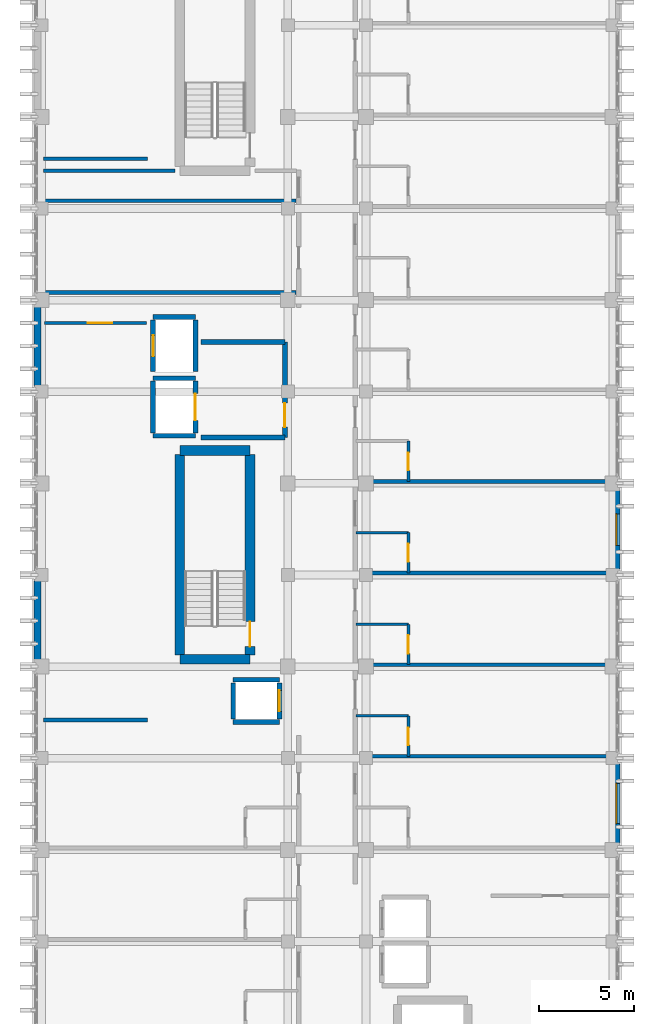
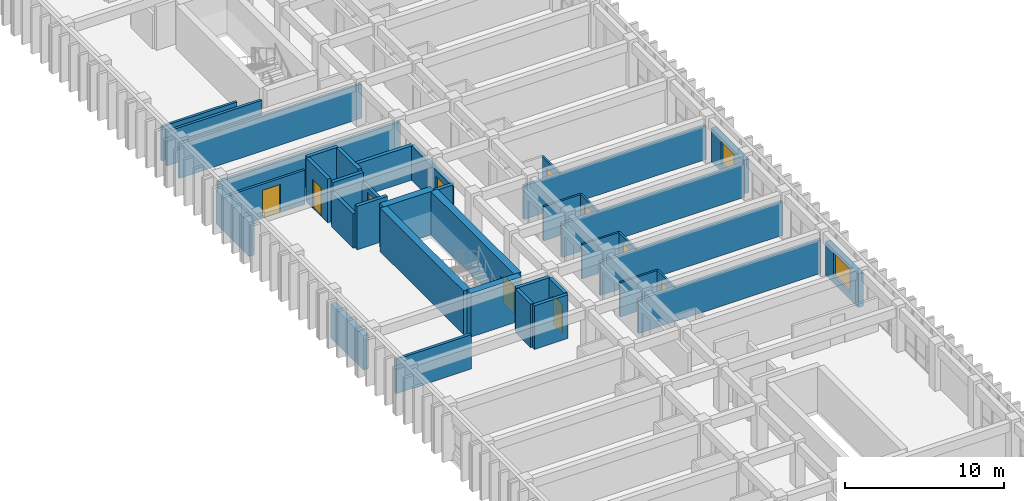
# One storey, part 57 of 68: 39 walls, 10 doors, 2 windows, 12 openings.
"""IFC4 building model written with IfcOpenShell, lengths in metres."""

import ifcopenshell
import ifcopenshell.guid

model = None  # the IFC model being written
_history = None  # IfcOwnerHistory: only IFC2X3 demands one
_inside = {}  # id of a spatial element -> (the spatial element, [elements in it])
_under = {}  # id of a project, library or spatial element -> (it, [spatial elements below it])
_declared = {}  # id of a project -> (the project, [libraries it declares])
_typed = {}  # id of a type object -> (the type object, [elements of that type])
_made_of = {}  # id of a material, layer set ... -> (it, [elements and type objects made of it])


def new_model(schema):
    """Start an empty IFC model of exactly this schema.

    Asked for "IFC4X3", IfcOpenShell would pick the latest addendum, in which some entities
    have other attributes; the version numbers below select the first issue.
    IFC2X3 requires an IfcOwnerHistory on every rooted entity: one is made here for all.
    """
    global model, _history
    if schema == "IFC4X3":
        model = ifcopenshell.file(schema_version=(4, 3, 0, 0))
    else:
        model = ifcopenshell.file(schema=schema)
    _inside.clear()
    _under.clear()
    _declared.clear()
    _typed.clear()
    _made_of.clear()
    _history = None
    if model.schema == "IFC2X3":
        org = make("IfcOrganization", Name="unknown")
        user = make(
            "IfcPersonAndOrganization",
            ThePerson=make("IfcPerson", FamilyName="unknown"),
            TheOrganization=org,
        )
        app = make(
            "IfcApplication",
            ApplicationDeveloper=org,
            Version="unknown",
            ApplicationFullName="unknown",
            ApplicationIdentifier="unknown",
        )
        _history = make(
            "IfcOwnerHistory",
            OwningUser=user,
            OwningApplication=app,
            ChangeAction="ADDED",
            CreationDate=0,
        )
    return model


def make(cls, **values):
    """One entity of the class cls with the attributes given. An attribute that is None is left unset."""
    return model.create_entity(
        cls, **{name: value for name, value in values.items() if value is not None}
    )


def rooted(cls, **values):
    """An entity with a GlobalId (a new one), such as an element, a storey or a relation."""
    return make(cls, GlobalId=ifcopenshell.guid.new(), OwnerHistory=_history, **values)


def si_unit(unit_type, name, prefix=None):
    """IfcSIUnit, for example si_unit("LENGTHUNIT", "METRE", prefix="MILLI")."""
    return make("IfcSIUnit", UnitType=unit_type, Prefix=prefix, Name=name)


def assignment(units):
    """IfcUnitAssignment: the units of a project."""
    return None if units is None else make("IfcUnitAssignment", Units=units)


def point(xyz):
    """IfcCartesianPoint."""
    return None if xyz is None else make("IfcCartesianPoint", Coordinates=xyz)


def direction(xyz):
    """IfcDirection."""
    return None if xyz is None else make("IfcDirection", DirectionRatios=xyz)


def frame(location, z_axis=None, x_axis=None):
    """IfcAxis2Placement3D, a coordinate frame: its origin and axes. An axis left out is left unset."""
    return make(
        "IfcAxis2Placement3D",
        Location=point(location),
        Axis=direction(z_axis),
        RefDirection=direction(x_axis),
    )


def frame_2d(location, x_axis=None):
    """IfcAxis2Placement2D, a coordinate frame in the plane: its origin and x axis."""
    return make(
        "IfcAxis2Placement2D", Location=point(location), RefDirection=direction(x_axis)
    )


def origin():
    """The frame at (0, 0, 0) with its axes left unset."""
    return frame((0.0, 0.0, 0.0))


def place(relative_to, where):
    """IfcLocalPlacement: puts the frame where relative to a parent placement (None: the world)."""
    return make(
        "IfcLocalPlacement", PlacementRelTo=relative_to, RelativePlacement=where
    )


def context(
    kind, dimensions, precision=None, world=None, true_north=None, identifier=None
):
    """IfcGeometricRepresentationContext, for example the 3D "Model" context."""
    return make(
        "IfcGeometricRepresentationContext",
        ContextIdentifier=identifier,
        ContextType=kind,
        CoordinateSpaceDimension=dimensions,
        Precision=precision,
        WorldCoordinateSystem=world,
        TrueNorth=true_north,
    )


def subcontext(parent, identifier, kind, view, scale=None):
    """IfcGeometricRepresentationSubContext, for example "Body" below "Model"."""
    return make(
        "IfcGeometricRepresentationSubContext",
        ContextIdentifier=identifier,
        ContextType=kind,
        ParentContext=parent,
        TargetScale=scale,
        TargetView=view,
    )


def project(units=None, contexts=None):
    """IfcProject with its units and contexts."""
    return rooted(
        "IfcProject",
        Name="project",
        RepresentationContexts=contexts,
        UnitsInContext=assignment(units),
    )


def spatial(cls, under=None, at=None, **own):
    """A site, building, storey or space (cls), placed at a placement, below another one or the project."""
    s = rooted(cls, ObjectPlacement=at, **own)
    if under is not None:
        _under.setdefault(under.id(), (under, []))[1].append(s)
    return s


def profile(cls, at=None, kind="AREA", **sizes):
    """A parametric profile (cls). Its sizes go by their IFC names, for example OverallWidth=200.0."""
    return make(cls, ProfileType=kind, Position=at, **sizes)


def rectangle(**sizes):
    """IfcRectangleProfileDef."""
    return profile("IfcRectangleProfileDef", **sizes)


def extrude(swept, where, along, depth):
    """IfcExtrudedAreaSolid: the profile swept, set in the frame where, extruded along a direction by depth."""
    return make(
        "IfcExtrudedAreaSolid",
        SweptArea=swept,
        Position=where,
        ExtrudedDirection=direction(along),
        Depth=depth,
    )


def shape(context_of_items, identifier, shape_type, items):
    """IfcShapeRepresentation: the items that make up one representation, for example the "Body"."""
    return make(
        "IfcShapeRepresentation",
        ContextOfItems=context_of_items,
        RepresentationIdentifier=identifier,
        RepresentationType=shape_type,
        Items=items,
    )


def material(Name=None, Category=None):
    """IfcMaterial."""
    return make("IfcMaterial", Name=Name, Category=Category)


def layer(
    of_material, thickness, ventilated=None, Name=None, Category=None, Priority=None
):
    """IfcMaterialLayer: one layer of a wall or slab, of a material (None: an air gap)."""
    return make(
        "IfcMaterialLayer",
        Material=of_material,
        LayerThickness=thickness,
        IsVentilated=ventilated,
        Name=Name,
        Category=Category,
        Priority=Priority,
    )


def layer_set(layers, Name=None):
    """IfcMaterialLayerSet."""
    return make("IfcMaterialLayerSet", MaterialLayers=layers, LayerSetName=Name)


def made_of(thing, what):
    """Note that an element or type object is made of a material, layer set ...; save() writes the relation."""
    if what is not None:
        _made_of.setdefault(what.id(), (what, []))[1].append(thing)
    return thing


def type_object(cls, material=None, **own):
    """A type object (cls), such as IfcWallType, which elements share."""
    return made_of(rooted(cls, **own), material)


def element(
    cls,
    number,
    at=None,
    inside=None,
    cuts=None,
    type_object=None,
    material=None,
    context=None,
    identifier="Body",
    shape_type=None,
    held_by="IfcProductDefinitionShape",
    body=None,
    shapes=None,
    **own,
):
    """One element of the class cls, such as IfcWall. Its Tag is "e" and its number.

    at: its placement. inside: the storey or other place that contains it. cuts: it is an
    opening in that element (IfcRelVoidsElement). A single representation is given by context,
    identifier, shape_type and body (its items); several are given by shapes. held_by: the class
    of the entity that holds the representations. save() writes the other relations.
    """
    e = rooted(cls, Tag="e%d" % number, ObjectPlacement=at, **own)
    if body is not None:
        shapes = [shape(context, identifier, shape_type, body)]
    if shapes is not None:
        e.Representation = make(held_by, Representations=shapes)
    if inside is not None:
        _inside.setdefault(inside.id(), (inside, []))[1].append(e)
    if cuts is not None:
        rooted(
            "IfcRelVoidsElement", RelatingBuildingElement=cuts, RelatedOpeningElement=e
        )
    if type_object is not None:
        _typed.setdefault(type_object.id(), (type_object, []))[1].append(e)
    return made_of(e, material)


def fill(opening, filler):
    """IfcRelFillsElement: the door or window that sits in an opening."""
    return rooted(
        "IfcRelFillsElement",
        RelatingOpeningElement=opening,
        RelatedBuildingElement=filler,
    )


def aggregate(whole, parts):
    """IfcRelAggregates: a whole, such as a stair, and the parts it consists of."""
    return rooted("IfcRelAggregates", RelatingObject=whole, RelatedObjects=parts)


def save(model, path):
    """Write the relations noted so far, then the file.

    IfcRelAggregates (storeys below a building ...), IfcRelContainedInSpatialStructure (elements
    in a storey), IfcRelDefinesByType, IfcRelAssociatesMaterial and IfcRelDeclares: one each for
    every whole, place, type object, material and project.
    """
    for whole, parts in _under.values():
        aggregate(whole, parts)
    for where, things in _inside.values():
        rooted(
            "IfcRelContainedInSpatialStructure",
            RelatedElements=things,
            RelatingStructure=where,
        )
    for kind, things in _typed.values():
        rooted("IfcRelDefinesByType", RelatedObjects=things, RelatingType=kind)
    for what, things in _made_of.values():
        rooted("IfcRelAssociatesMaterial", RelatedObjects=things, RelatingMaterial=what)
    for by, libraries in _declared.values():
        rooted("IfcRelDeclares", RelatingContext=by, RelatedDefinitions=libraries)
    model.write(path)


model = new_model("IFC4")

# Units and contexts
model_context = context("Model", 3, precision=1e-05, world=origin(), true_north=direction((0.0, 1.0)))
body_context = subcontext(model_context, "Body", "Model", "MODEL_VIEW")
ifc_project = project(units=[si_unit("LENGTHUNIT", "METRE"), si_unit("AREAUNIT", "SQUARE_METRE"), si_unit("VOLUMEUNIT", "CUBIC_METRE"), si_unit("PLANEANGLEUNIT", "RADIAN"), si_unit("MASSUNIT", "GRAM", prefix="KILO")], contexts=[model_context])

# Site, building, storey
site_placement = place(None, origin())
site = spatial("IfcSite", under=ifc_project, at=site_placement, CompositionType="ELEMENT")
building_placement = place(site_placement, origin())
building = spatial("IfcBuilding", under=site, at=building_placement, Name="Nakhvara Creek Congress Hotel", CompositionType="ELEMENT")
storey_placement = place(building_placement, frame((0.0, 0.0, 24.60009765625)))
storey = spatial("IfcBuildingStorey", under=building, at=storey_placement, Name="L05", CompositionType="ELEMENT", Elevation=24.60009765625)

# Walls
ifc_material_1 = material(Name="Concrete C50/60", Category="concrete")
ifc_layer_1 = layer(ifc_material_1, 0.5)
ifc_layer_set_1 = layer_set([ifc_layer_1], Name="Concrete C50/60")
wall_type_1 = type_object("IfcWallType", Name="W-CORE-500", PredefinedType="SHEAR", material=ifc_layer_set_1)
for number, where, z_axis, x_axis, name in (
    (1, (156.699951171875, 77.179931640625, 0.0), (0.0, 0.0, 1.0), (1.0, 0.0, 0.0), "Core Shear Wall WS01-CWALL-L05-0127"),
    (2, (156.699951171875, 88.1201171875, 0.0), (0.0, 0.0, 1.0), (1.0, 0.0, 0.0), "Core Shear Wall WS01-CWALL-L05-0128"),
):
    element("IfcWall", number, at=place(storey_placement, frame(where, z_axis=z_axis, x_axis=x_axis)), inside=storey, type_object=wall_type_1, Name=name, PredefinedType="SHEAR", context=body_context, shape_type="SweptSolid", body=[
        extrude(rectangle(XDim=3.670166015625, YDim=0.5, at=frame_2d((1.8349609375, 0.0))), origin(), (0.0, 0.0, 1.0), 3.33984375),
    ])
wall_1_placement = place(storey_placement, frame((156.699951171875, 77.39990234375, 0.0), z_axis=(0.0, 0.0, 1.0), x_axis=(0.0, 1.0, 0.0)))
element("IfcWall", 3, at=wall_1_placement, inside=storey, type_object=wall_type_1, Name="Core Shear Wall WS01-CWALL-L05-0129", PredefinedType="SHEAR", context=body_context, shape_type="SweptSolid", body=[
    extrude(rectangle(XDim=10.5, YDim=0.5, at=frame_2d((5.25, 0.0))), origin(), (0.0, 0.0, 1.0), 3.33984375),
])

# Wall, opening, door
wall_2_placement = place(storey_placement, frame((160.3701171875, 77.39990234375, 0.0), z_axis=(0.0, 0.0, 1.0), x_axis=(0.0, 1.0, 0.0)))
wall_2 = element("IfcWall", 4, at=wall_2_placement, inside=storey, type_object=wall_type_1, Name="Core Shear Wall WS01-CWALL-L05-0130", PredefinedType="SHEAR", context=body_context, shape_type="SweptSolid", body=[
    extrude(rectangle(XDim=10.5, YDim=0.5, at=frame_2d((5.25, 0.0))), origin(), (0.0, 0.0, 1.0), 3.33984375),
])
opening_1_placement = place(wall_2_placement, frame((0.449951171875, 0.0, 0.0)))
opening_1 = element("IfcOpeningElement", 5, at=opening_1_placement, cuts=wall_2, Name="Opening FD04", PredefinedType="OPENING", context=body_context, shape_type="SweptSolid", body=[
    extrude(rectangle(XDim=1.300048828125, YDim=2.14990234375, at=frame_2d((0.64990234375, 1.074951171875))), frame((0.0, 0.261962890625, 0.0), z_axis=(0.0, -1.0, 0.0), x_axis=(1.0, 0.0, 0.0)), (0.0, 0.0, 1.0), 0.52392578125),
])
ifc_material_2 = material(Name="Powder-coated steel fire door", Category="steel")
door_type_1 = type_object("IfcDoorType", Name="DT-STAIR-130", OperationType="NOTDEFINED", PredefinedType="DOOR", material=ifc_material_2)
door_1_placement = place(opening_1_placement, frame((1.300048828125, 0.0, 0.0), z_axis=(0.0, 0.0, 1.0), x_axis=(-1.0, 0.0, 0.0)))
door_1 = element("IfcDoor", 6, at=door_1_placement, inside=storey, type_object=door_type_1, Name="Stair Exit Door ST01-L05", OperationType="SINGLE_SWING_LEFT", OverallHeight=2.14990234375, OverallWidth=1.300048828125, PredefinedType="DOOR", context=body_context, shape_type="SweptSolid", body=[
    extrude(rectangle(XDim=1.300048828125, YDim=2.14990234375, at=frame_2d((0.64990234375, 1.074951171875))), frame((0.0, 0.02490234375, 0.0), z_axis=(0.0, -1.0, 0.0), x_axis=(1.0, 0.0, 0.0)), (0.0, 0.0, 1.0), 0.050048828125),
])
fill(opening_1, door_1)

ifc_material_3 = material(Name="Moisture-resistant gypsum board partition")
ifc_layer_2 = layer(ifc_material_3, 0.139892578125)
ifc_layer_set_2 = layer_set([ifc_layer_2], Name="Moisture-resistant gypsum board partition")
wall_type_2 = type_object("IfcWallType", Name="W-ENS-140", PredefinedType="PARTITIONING", material=ifc_layer_set_2)
wall_3_placement = place(storey_placement, frame((168.669921875, 72.10009765625, 0.0), z_axis=(0.0, 0.0, 1.0), x_axis=(0.0, 1.0, 0.0)))
wall_3 = element("IfcWall", 7, at=wall_3_placement, inside=storey, type_object=wall_type_2, Name="Interior Wall WP15-IW-L05-0407", PredefinedType="PARTITIONING", context=body_context, shape_type="SweptSolid", body=[
    extrude(rectangle(XDim=2.115966796875, YDim=0.139892578125, at=frame_2d((1.05810546875, 0.0))), origin(), (0.0, 0.0, 1.0), 2.6318359375),
])
opening_2_placement = place(wall_3_placement, frame((0.5830078125, 0.0, 0.0)))
opening_2 = element("IfcOpeningElement", 8, at=opening_2_placement, cuts=wall_3, Name="Opening ID01", PredefinedType="OPENING", context=body_context, shape_type="SweptSolid", body=[
    extrude(rectangle(XDim=0.919921875, YDim=2.10009765625, at=frame_2d((0.4599609375, 1.050048828125))), frame((0.0, 0.08203125, 0.0), z_axis=(0.0, -1.0, 0.0), x_axis=(1.0, 0.0, 0.0)), (0.0, 0.0, 1.0), 0.163818359375),
])
ifc_material_4 = material(Name="Moisture-resistant walnut timber door", Category="wood")
door_type_2 = type_object("IfcDoorType", Name="DT-ENS-092", OperationType="NOTDEFINED", PredefinedType="DOOR", material=ifc_material_4)
door_2_placement = place(opening_2_placement, frame((0.919921875, 0.0, 0.0), z_axis=(0.0, 0.0, 1.0), x_axis=(-1.0, 0.0, 0.0)))
door_2 = element("IfcDoor", 9, at=door_2_placement, inside=storey, type_object=door_type_2, Name="Interior Door ID01-0325", OperationType="SINGLE_SWING_RIGHT", OverallHeight=2.10009765625, OverallWidth=0.919921875, PredefinedType="DOOR", context=body_context, shape_type="SweptSolid", body=[
    extrude(rectangle(XDim=0.919921875, YDim=2.10009765625, at=frame_2d((0.4599609375, 1.050048828125))), frame((0.0, 0.02490234375, 0.0), z_axis=(0.0, -1.0, 0.0), x_axis=(1.0, 0.0, 0.0)), (0.0, 0.0, 1.0), 0.050048828125),
])
fill(opening_2, door_2)

# Wall
wall_4_placement = place(storey_placement, frame((165.919921875, 74.216064453125, 0.0), z_axis=(0.0, 0.0, 1.0), x_axis=(1.0, 0.0, 0.0)))
element("IfcWall", 10, at=wall_4_placement, inside=storey, type_object=wall_type_2, Name="Interior Wall WP15-IW-L05-0408", PredefinedType="PARTITIONING", context=body_context, shape_type="SweptSolid", body=[
    extrude(rectangle(XDim=2.75, YDim=0.139892578125, at=frame_2d((1.375, 0.0))), origin(), (0.0, 0.0, 1.0), 2.6318359375),
])

# Wall, opening, door
wall_5_placement = place(storey_placement, frame((168.669921875, 76.89990234375, 0.0), z_axis=(0.0, 0.0, 1.0), x_axis=(0.0, 1.0, 0.0)))
wall_5 = element("IfcWall", 11, at=wall_5_placement, inside=storey, type_object=wall_type_2, Name="Interior Wall WP15-IW-L05-0410", PredefinedType="PARTITIONING", context=body_context, shape_type="SweptSolid", body=[
    extrude(rectangle(XDim=2.1162109375, YDim=0.139892578125, at=frame_2d((1.05810546875, 0.0))), origin(), (0.0, 0.0, 1.0), 2.6318359375),
])
opening_3_placement = place(wall_5_placement, frame((0.5830078125, 0.0, 0.0)))
opening_3 = element("IfcOpeningElement", 12, at=opening_3_placement, cuts=wall_5, Name="Opening ID02", PredefinedType="OPENING", context=body_context, shape_type="SweptSolid", body=[
    extrude(rectangle(XDim=0.9599609375, YDim=2.1201171875, at=frame_2d((0.47998046875, 1.06005859375))), frame((0.0, 0.08203125, 0.0), z_axis=(0.0, -1.0, 0.0), x_axis=(1.0, 0.0, 0.0)), (0.0, 0.0, 1.0), 0.163818359375),
])
door_type_3 = type_object("IfcDoorType", Name="DT-ENS-096", OperationType="NOTDEFINED", PredefinedType="DOOR", material=ifc_material_4)
door_3_placement = place(opening_3_placement, frame((0.9599609375, 0.0, 0.0), z_axis=(0.0, 0.0, 1.0), x_axis=(-1.0, 0.0, 0.0)))
door_3 = element("IfcDoor", 13, at=door_3_placement, inside=storey, type_object=door_type_3, Name="Interior Door ID02-0327", OperationType="SINGLE_SWING_RIGHT", OverallHeight=2.1201171875, OverallWidth=0.9599609375, PredefinedType="DOOR", context=body_context, shape_type="SweptSolid", body=[
    extrude(rectangle(XDim=0.9599609375, YDim=2.1201171875, at=frame_2d((0.47998046875, 1.06005859375))), frame((0.0, 0.02490234375, 0.0), z_axis=(0.0, -1.0, 0.0), x_axis=(1.0, 0.0, 0.0)), (0.0, 0.0, 1.0), 0.050048828125),
])
fill(opening_3, door_3)

# Wall
wall_6_placement = place(storey_placement, frame((165.919921875, 79.01611328125, 0.0), z_axis=(0.0, 0.0, 1.0), x_axis=(1.0, 0.0, 0.0)))
element("IfcWall", 14, at=wall_6_placement, inside=storey, type_object=wall_type_2, Name="Interior Wall WP15-IW-L05-0411", PredefinedType="PARTITIONING", context=body_context, shape_type="SweptSolid", body=[
    extrude(rectangle(XDim=2.75, YDim=0.139892578125, at=frame_2d((1.375, 0.0))), origin(), (0.0, 0.0, 1.0), 2.6318359375),
])

# Wall, opening, door
wall_7_placement = place(storey_placement, frame((168.669921875, 81.699951171875, 0.0), z_axis=(0.0, 0.0, 1.0), x_axis=(0.0, 1.0, 0.0)))
wall_7 = element("IfcWall", 15, at=wall_7_placement, inside=storey, type_object=wall_type_2, Name="Interior Wall WP15-IW-L05-0413", PredefinedType="PARTITIONING", context=body_context, shape_type="SweptSolid", body=[
    extrude(rectangle(XDim=2.115966796875, YDim=0.139892578125, at=frame_2d((1.05810546875, 0.0))), origin(), (0.0, 0.0, 1.0), 2.6318359375),
])
opening_4_placement = place(wall_7_placement, frame((0.5830078125, 0.0, 0.0)))
opening_4 = element("IfcOpeningElement", 16, at=opening_4_placement, cuts=wall_7, Name="Opening ID02", PredefinedType="OPENING", context=body_context, shape_type="SweptSolid", body=[
    extrude(rectangle(XDim=0.9599609375, YDim=2.1201171875, at=frame_2d((0.47998046875, 1.06005859375))), frame((0.0, 0.08203125, 0.0), z_axis=(0.0, -1.0, 0.0), x_axis=(1.0, 0.0, 0.0)), (0.0, 0.0, 1.0), 0.163818359375),
])
door_4_placement = place(opening_4_placement, frame((0.9599609375, 0.0, 0.0), z_axis=(0.0, 0.0, 1.0), x_axis=(-1.0, 0.0, 0.0)))
door_4 = element("IfcDoor", 17, at=door_4_placement, inside=storey, type_object=door_type_3, Name="Interior Door ID02-0329", OperationType="SINGLE_SWING_RIGHT", OverallHeight=2.1201171875, OverallWidth=0.9599609375, PredefinedType="DOOR", context=body_context, shape_type="SweptSolid", body=[
    extrude(rectangle(XDim=0.9599609375, YDim=2.1201171875, at=frame_2d((0.47998046875, 1.06005859375))), frame((0.0, 0.02490234375, 0.0), z_axis=(0.0, -1.0, 0.0), x_axis=(1.0, 0.0, 0.0)), (0.0, 0.0, 1.0), 0.050048828125),
])
fill(opening_4, door_4)

# Wall
wall_8_placement = place(storey_placement, frame((165.919921875, 83.81591796875, 0.0), z_axis=(0.0, 0.0, 1.0), x_axis=(1.0, 0.0, 0.0)))
element("IfcWall", 18, at=wall_8_placement, inside=storey, type_object=wall_type_2, Name="Interior Wall WP15-IW-L05-0414", PredefinedType="PARTITIONING", context=body_context, shape_type="SweptSolid", body=[
    extrude(rectangle(XDim=2.75, YDim=0.139892578125, at=frame_2d((1.375, 0.0))), origin(), (0.0, 0.0, 1.0), 2.6318359375),
])

# Wall, opening, door
wall_9_placement = place(storey_placement, frame((168.669921875, 86.5, 0.0), z_axis=(0.0, 0.0, 1.0), x_axis=(0.0, 1.0, 0.0)))
wall_9 = element("IfcWall", 19, at=wall_9_placement, inside=storey, type_object=wall_type_2, Name="Interior Wall WP15-IW-L05-0416", PredefinedType="PARTITIONING", context=body_context, shape_type="SweptSolid", body=[
    extrude(rectangle(XDim=2.115966796875, YDim=0.139892578125, at=frame_2d((1.05810546875, 0.0))), origin(), (0.0, 0.0, 1.0), 2.6318359375),
])
opening_5_placement = place(wall_9_placement, frame((0.5830078125, 0.0, 0.0)))
opening_5 = element("IfcOpeningElement", 20, at=opening_5_placement, cuts=wall_9, Name="Opening ID01", PredefinedType="OPENING", context=body_context, shape_type="SweptSolid", body=[
    extrude(rectangle(XDim=0.919921875, YDim=2.10009765625, at=frame_2d((0.4599609375, 1.050048828125))), frame((0.0, 0.08203125, 0.0), z_axis=(0.0, -1.0, 0.0), x_axis=(1.0, 0.0, 0.0)), (0.0, 0.0, 1.0), 0.163818359375),
])
door_5_placement = place(opening_5_placement, frame((0.919921875, 0.0, 0.0), z_axis=(0.0, 0.0, 1.0), x_axis=(-1.0, 0.0, 0.0)))
door_5 = element("IfcDoor", 21, at=door_5_placement, inside=storey, type_object=door_type_2, Name="Interior Door ID01-0331", OperationType="SINGLE_SWING_RIGHT", OverallHeight=2.10009765625, OverallWidth=0.919921875, PredefinedType="DOOR", context=body_context, shape_type="SweptSolid", body=[
    extrude(rectangle(XDim=0.919921875, YDim=2.10009765625, at=frame_2d((0.4599609375, 1.050048828125))), frame((0.0, 0.02490234375, 0.0), z_axis=(0.0, -1.0, 0.0), x_axis=(1.0, 0.0, 0.0)), (0.0, 0.0, 1.0), 0.050048828125),
])
fill(opening_5, door_5)

# Wall, opening, window
ifc_material_5 = material(Name="Honed pale Omani limestone cladding", Category="masonry")
ifc_layer_3 = layer(ifc_material_5, 0.050048828125)
ifc_material_6 = material(Name="Mineral wool thermal insulation")
ifc_layer_4 = layer(ifc_material_6, 0.110107421875)
ifc_material_7 = material(Name="Precast concrete C40/50", Category="concrete")
ifc_layer_5 = layer(ifc_material_7, 0.219970703125)
ifc_layer_set_3 = layer_set([ifc_layer_3, ifc_layer_4, ifc_layer_5], Name="Precast concrete C40/50")
wall_type_3 = type_object("IfcWallType", Name="W-EXT-380", PredefinedType="SOLIDWALL", material=ifc_layer_set_3)
wall_10_placement = place(storey_placement, frame((179.56005859375, 71.68505859375, 0.0), z_axis=(0.0, 0.0, 1.0), x_axis=(0.0, -1.0, 0.0)))
wall_10 = element("IfcWall", 22, at=wall_10_placement, inside=storey, type_object=wall_type_3, Name="Exterior Wall WE03-EW-L05-0154", PredefinedType="SOLIDWALL", context=body_context, shape_type="SweptSolid", body=[
    extrude(rectangle(XDim=4.1201171875, YDim=0.3798828125, at=frame_2d((2.06005859375, 0.0))), origin(), (0.0, 0.0, 1.0), 2.581787109375),
])
opening_6_placement = place(wall_10_placement, frame((1.010009765625, 0.0, 0.550048828125)))
opening_6 = element("IfcOpeningElement", 23, at=opening_6_placement, cuts=wall_10, Name="Opening WN0166", PredefinedType="OPENING", context=body_context, shape_type="SweptSolid", body=[
    extrude(rectangle(XDim=2.10009765625, YDim=1.780029296875, at=frame_2d((1.050048828125, 0.89013671875))), frame((0.0, 0.201904296875, 0.0), z_axis=(0.0, -1.0, 0.0), x_axis=(1.0, 0.0, 0.0)), (0.0, 0.0, 1.0), 0.40380859375),
])
ifc_material_8 = material(Name="Thermally broken bronze-anodised aluminium and double-silver low-E insulated glass", Category="aluminium")
window_type_1 = type_object("IfcWindowType", Name="WN-LAN-210X230", PartitioningType="SINGLE_PANEL", PredefinedType="WINDOW", material=ifc_material_8)
window_1_placement = place(opening_6_placement, origin())
window_1 = element("IfcWindow", 24, at=window_1_placement, inside=storey, type_object=window_type_1, Name="Facade Window WN0166", OverallHeight=1.780029296875, OverallWidth=2.10009765625, PartitioningType="SINGLE_PANEL", PredefinedType="WINDOW", context=body_context, shape_type="SweptSolid", body=[
    extrude(rectangle(XDim=2.10009765625, YDim=1.780029296875, at=frame_2d((1.050048828125, 0.89013671875))), frame((0.0, 0.030029296875, 0.0), z_axis=(0.0, -1.0, 0.0), x_axis=(1.0, 0.0, 0.0)), (0.0, 0.0, 1.0), 0.06005859375),
])
fill(opening_6, window_1)

# Wall
wall_11_placement = place(storey_placement, frame((149.239990234375, 77.1650390625, 0.0), z_axis=(0.0, 0.0, 1.0), x_axis=(0.0, 1.0, 0.0)))
element("IfcWall", 25, at=wall_11_placement, inside=storey, type_object=wall_type_3, Name="Exterior Wall WE03-EW-L05-0155", PredefinedType="SOLIDWALL", context=body_context, shape_type="SweptSolid", body=[
    extrude(rectangle(XDim=4.119873046875, YDim=0.3798828125, at=frame_2d((2.06005859375, 0.0))), origin(), (0.0, 0.0, 1.0), 2.6318359375),
])

# Wall, opening, window
wall_12_placement = place(storey_placement, frame((179.56005859375, 86.034912109375, 0.0), z_axis=(0.0, 0.0, 1.0), x_axis=(0.0, -1.0, 0.0)))
wall_12 = element("IfcWall", 26, at=wall_12_placement, inside=storey, type_object=wall_type_3, Name="Exterior Wall WE03-EW-L05-0156", PredefinedType="SOLIDWALL", context=body_context, shape_type="SweptSolid", body=[
    extrude(rectangle(XDim=4.119873046875, YDim=0.3798828125, at=frame_2d((2.06005859375, 0.0))), origin(), (0.0, 0.0, 1.0), 2.581787109375),
])
opening_7_placement = place(wall_12_placement, frame((1.235107421875, 0.0, 0.550048828125)))
opening_7 = element("IfcOpeningElement", 27, at=opening_7_placement, cuts=wall_12, Name="Opening WN0167", PredefinedType="OPENING", context=body_context, shape_type="SweptSolid", body=[
    extrude(rectangle(XDim=1.64990234375, YDim=1.75, at=frame_2d((0.824951171875, 0.875))), frame((0.0, 0.201904296875, 0.0), z_axis=(0.0, -1.0, 0.0), x_axis=(1.0, 0.0, 0.0)), (0.0, 0.0, 1.0), 0.40380859375),
])
window_type_2 = type_object("IfcWindowType", Name="WN-LAN-165X225", PartitioningType="SINGLE_PANEL", PredefinedType="WINDOW", material=ifc_material_8)
window_2_placement = place(opening_7_placement, origin())
window_2 = element("IfcWindow", 28, at=window_2_placement, inside=storey, type_object=window_type_2, Name="Facade Window WN0167", OverallHeight=1.75, OverallWidth=1.64990234375, PartitioningType="SINGLE_PANEL", PredefinedType="WINDOW", context=body_context, shape_type="SweptSolid", body=[
    extrude(rectangle(XDim=1.64990234375, YDim=1.75, at=frame_2d((0.824951171875, 0.875))), frame((0.0, 0.030029296875, 0.0), z_axis=(0.0, -1.0, 0.0), x_axis=(1.0, 0.0, 0.0)), (0.0, 0.0, 1.0), 0.06005859375),
])
fill(opening_7, window_2)

# Wall
wall_13_placement = place(storey_placement, frame((149.239990234375, 91.514892578125, 0.0), z_axis=(0.0, 0.0, 1.0), x_axis=(0.0, 1.0, 0.0)))
element("IfcWall", 29, at=wall_13_placement, inside=storey, type_object=wall_type_3, Name="Exterior Wall WE03-EW-L05-0157", PredefinedType="SOLIDWALL", context=body_context, shape_type="SweptSolid", body=[
    extrude(rectangle(XDim=4.1201171875, YDim=0.3798828125, at=frame_2d((2.06005859375, 0.0))), origin(), (0.0, 0.0, 1.0), 2.6318359375),
])

# Wall, opening, door
ifc_material_9 = material(Name="Concrete C40/50", Category="concrete")
ifc_layer_6 = layer(ifc_material_9, 0.260009765625)
ifc_layer_set_4 = layer_set([ifc_layer_6], Name="Concrete C40/50")
wall_type_4 = type_object("IfcWallType", Name="W-FFL-260", PredefinedType="SOLIDWALL", material=ifc_layer_set_4)
wall_14_placement = place(storey_placement, frame((162.199951171875, 88.800048828125, 0.0), z_axis=(0.0, 0.0, 1.0), x_axis=(0.0, 1.0, 0.0)))
wall_14 = element("IfcWall", 30, at=wall_14_placement, inside=storey, type_object=wall_type_4, Name="Core Shear Wall WI03-CWALL-L05-0142", PredefinedType="SOLIDWALL", context=body_context, shape_type="SweptSolid", body=[
    extrude(rectangle(XDim=5.0, YDim=0.260009765625, at=frame_2d((2.5, 0.0))), origin(), (0.0, 0.0, 1.0), 2.6318359375),
])
opening_8_placement = place(wall_14_placement, frame((0.550048828125, 0.0, 0.0)))
opening_8 = element("IfcOpeningElement", 31, at=opening_8_placement, cuts=wall_14, Name="Opening FD05", PredefinedType="OPENING", context=body_context, shape_type="SweptSolid", body=[
    extrude(rectangle(XDim=1.25, YDim=2.14990234375, at=frame_2d((0.625, 1.074951171875))), frame((0.0, 0.14208984375, 0.0), z_axis=(0.0, -1.0, 0.0), x_axis=(1.0, 0.0, 0.0)), (0.0, 0.0, 1.0), 0.283935546875),
])
ifc_material_10 = material(Name="Hardwood-veneered steel fire door", Category="steel")
door_type_4 = type_object("IfcDoorType", Name="DT-FFL-125", OperationType="NOTDEFINED", PredefinedType="DOOR", material=ifc_material_10)
door_6_placement = place(opening_8_placement, origin())
door_6 = element("IfcDoor", 32, at=door_6_placement, inside=storey, type_object=door_type_4, Name="Firefighting Lobby Door C1-L05", OperationType="DOUBLE_DOOR_SINGLE_SWING", OverallHeight=2.14990234375, OverallWidth=1.25, PredefinedType="DOOR", context=body_context, shape_type="SweptSolid", body=[
    extrude(rectangle(XDim=1.25, YDim=2.14990234375, at=frame_2d((0.625, 1.074951171875))), frame((0.0, 0.02490234375, 0.0), z_axis=(0.0, -1.0, 0.0), x_axis=(1.0, 0.0, 0.0)), (0.0, 0.0, 1.0), 0.050048828125),
])
fill(opening_8, door_6)

# Walls
for number, where, z_axis, x_axis, name in (
    (33, (157.800048828125, 88.800048828125, 0.0), (0.0, 0.0, 1.0), (1.0, 0.0, 0.0), "Core Shear Wall WI03-CWALL-L05-0143"),
    (34, (157.800048828125, 93.800048828125, 0.0), (0.0, 0.0, 1.0), (1.0, 0.0, 0.0), "Core Shear Wall WI03-CWALL-L05-0144"),
):
    element("IfcWall", number, at=place(storey_placement, frame(where, z_axis=z_axis, x_axis=x_axis)), inside=storey, type_object=wall_type_4, Name=name, PredefinedType="SOLIDWALL", context=body_context, shape_type="SweptSolid", body=[
        extrude(rectangle(XDim=4.39990234375, YDim=0.260009765625, at=frame_2d((2.199951171875, 0.0))), origin(), (0.0, 0.0, 1.0), 2.6318359375),
    ])
ifc_material_11 = material(Name="Gypsum acoustic board on steel stud", Category="steel")
ifc_layer_7 = layer(ifc_material_11, 0.179931640625)
ifc_layer_set_5 = layer_set([ifc_layer_7], Name="Gypsum acoustic board on steel stud")
wall_type_5 = type_object("IfcWallType", Name="W-MEET-180", PredefinedType="PARTITIONING", material=ifc_layer_set_5)
wall_15_placement = place(storey_placement, frame((149.550048828125, 101.199951171875, 0.0), z_axis=(0.0, 0.0, 1.0), x_axis=(1.0, 0.0, 0.0)))
element("IfcWall", 35, at=wall_15_placement, inside=storey, type_object=wall_type_5, Name="Interior Wall WP13-IW-L05-0373", PredefinedType="PARTITIONING", context=body_context, shape_type="SweptSolid", body=[
    extrude(rectangle(XDim=13.22998046875, YDim=0.179931640625, at=frame_2d((6.614990234375, 0.0))), origin(), (0.0, 0.0, 1.0), 2.6318359375),
])

# Wall, opening, door
wall_16_placement = place(storey_placement, frame((149.60009765625, 94.800048828125, 0.0), z_axis=(0.0, 0.0, 1.0), x_axis=(1.0, 0.0, 0.0)))
wall_16 = element("IfcWall", 36, at=wall_16_placement, inside=storey, type_object=wall_type_5, Name="Interior Wall WP13-IW-L05-0377", PredefinedType="PARTITIONING", context=body_context, shape_type="SweptSolid", body=[
    extrude(rectangle(XDim=5.349853515625, YDim=0.179931640625, at=frame_2d((2.6748046875, 0.0))), origin(), (0.0, 0.0, 1.0), 2.6318359375),
])
opening_9_placement = place(wall_16_placement, frame((2.27490234375, 0.0, 0.0)))
opening_9 = element("IfcOpeningElement", 37, at=opening_9_placement, cuts=wall_16, Name="Opening ID07", PredefinedType="OPENING", context=body_context, shape_type="SweptSolid", body=[
    extrude(rectangle(XDim=1.280029296875, YDim=2.159912109375, at=frame_2d((0.64013671875, 1.080078125))), frame((0.0, 0.10205078125, 0.0), z_axis=(0.0, -1.0, 0.0), x_axis=(1.0, 0.0, 0.0)), (0.0, 0.0, 1.0), 0.203857421875),
])
ifc_material_12 = material(Name="Brushed stainless-clad BOH door")
door_type_5 = type_object("IfcDoorType", Name="DT-BOH-128", OperationType="NOTDEFINED", PredefinedType="DOOR", material=ifc_material_12)
door_7_placement = place(opening_9_placement, origin())
door_7 = element("IfcDoor", 38, at=door_7_placement, inside=storey, type_object=door_type_5, Name="Interior Door ID07-0305", OperationType="SINGLE_SWING_RIGHT", OverallHeight=2.159912109375, OverallWidth=1.280029296875, PredefinedType="DOOR", context=body_context, shape_type="SweptSolid", body=[
    extrude(rectangle(XDim=1.280029296875, YDim=2.159912109375, at=frame_2d((0.64013671875, 1.080078125))), frame((0.0, 0.02490234375, 0.0), z_axis=(0.0, -1.0, 0.0), x_axis=(1.0, 0.0, 0.0)), (0.0, 0.0, 1.0), 0.050048828125),
])
fill(opening_9, door_7)

# Walls
wall_17_placement = place(storey_placement, frame((149.550048828125, 103.39990234375, 0.0), z_axis=(0.0, 0.0, 1.0), x_axis=(1.0, 0.0, 0.0)))
element("IfcWall", 39, at=wall_17_placement, inside=storey, type_object=wall_type_5, Name="Interior Wall WP13-IW-L05-0378", PredefinedType="PARTITIONING", context=body_context, shape_type="SweptSolid", body=[
    extrude(rectangle(XDim=5.449951171875, YDim=0.179931640625, at=frame_2d((2.72509765625, 0.0))), origin(), (0.0, 0.0, 1.0), 2.6318359375),
])
ifc_layer_8 = layer(ifc_material_11, 0.199951171875)
ifc_layer_set_6 = layer_set([ifc_layer_8], Name="Gypsum acoustic board on steel stud")
wall_type_6 = type_object("IfcWallType", Name="W-PART-200", PredefinedType="PARTITIONING", material=ifc_layer_set_6)
wall_18_placement = place(storey_placement, frame((149.550048828125, 96.39990234375, 0.0), z_axis=(0.0, 0.0, 1.0), x_axis=(1.0, 0.0, 0.0)))
element("IfcWall", 40, at=wall_18_placement, inside=storey, type_object=wall_type_6, Name="Interior Wall WP12-IW-L05-0372", PredefinedType="PARTITIONING", context=body_context, shape_type="SweptSolid", body=[
    extrude(rectangle(XDim=13.22998046875, YDim=0.199951171875, at=frame_2d((6.614990234375, 0.0))), origin(), (0.0, 0.0, 1.0), 2.6318359375),
])
wall_19_placement = place(storey_placement, frame((149.550048828125, 102.780029296875, 0.0), z_axis=(0.0, 0.0, 1.0), x_axis=(1.0, 0.0, 0.0)))
element("IfcWall", 41, at=wall_19_placement, inside=storey, type_object=wall_type_6, Name="Interior Wall WP12-IW-L05-0374", PredefinedType="PARTITIONING", context=body_context, shape_type="SweptSolid", body=[
    extrude(rectangle(XDim=6.89990234375, YDim=0.199951171875, at=frame_2d((3.449951171875, 0.0))), origin(), (0.0, 0.0, 1.0), 2.6318359375),
])
wall_20_placement = place(storey_placement, frame((149.550048828125, 74.0, 0.0), z_axis=(0.0, 0.0, 1.0), x_axis=(1.0, 0.0, 0.0)))
element("IfcWall", 42, at=wall_20_placement, inside=storey, type_object=wall_type_6, Name="Interior Wall WP12-IW-L05-0376", PredefinedType="PARTITIONING", context=body_context, shape_type="SweptSolid", body=[
    extrude(rectangle(XDim=5.449951171875, YDim=0.199951171875, at=frame_2d((2.72509765625, 0.0))), origin(), (0.0, 0.0, 1.0), 2.6318359375),
])
for number, where, z_axis, x_axis, name in (
    (43, (166.02001953125, 72.10009765625, 0.0), (0.0, 0.0, 1.0), (1.0, 0.0, 0.0), "Interior Wall WP12-IW-L05-0406"),
    (44, (166.02001953125, 76.89990234375, 0.0), (0.0, 0.0, 1.0), (1.0, 0.0, 0.0), "Interior Wall WP12-IW-L05-0409"),
    (45, (166.02001953125, 81.699951171875, 0.0), (0.0, 0.0, 1.0), (1.0, 0.0, 0.0), "Interior Wall WP12-IW-L05-0412"),
    (46, (166.02001953125, 86.5, 0.0), (0.0, 0.0, 1.0), (1.0, 0.0, 0.0), "Interior Wall WP12-IW-L05-0415"),
):
    element("IfcWall", number, at=place(storey_placement, frame(where, z_axis=z_axis, x_axis=x_axis)), inside=storey, type_object=wall_type_6, Name=name, PredefinedType="PARTITIONING", context=body_context, shape_type="SweptSolid", body=[
        extrude(rectangle(XDim=13.22998046875, YDim=0.199951171875, at=frame_2d((6.614990234375, 0.0))), origin(), (0.0, 0.0, 1.0), 2.581787109375),
    ])
ifc_layer_9 = layer(ifc_material_9, 0.25)
ifc_layer_set_7 = layer_set([ifc_layer_9], Name="Concrete C40/50")
wall_type_7 = type_object("IfcWallType", Name="W-SHAFT-250", PredefinedType="SOLIDWALL", material=ifc_layer_set_7)
for number, where, z_axis, x_axis, name in (
    (47, (155.2900390625, 88.889892578125, 0.0), (0.0, 0.0, 1.0), (1.0, 0.0, 0.0), "Core Shear Wall WI02-CWALL-L05-0131"),
    (48, (155.2900390625, 91.909912109375, 0.0), (0.0, 0.0, 1.0), (1.0, 0.0, 0.0), "Core Shear Wall WI02-CWALL-L05-0132"),
):
    element("IfcWall", number, at=place(storey_placement, frame(where, z_axis=z_axis, x_axis=x_axis)), inside=storey, type_object=wall_type_7, Name=name, PredefinedType="SOLIDWALL", context=body_context, shape_type="SweptSolid", body=[
        extrude(rectangle(XDim=2.219970703125, YDim=0.25, at=frame_2d((1.10986328125, 0.0))), origin(), (0.0, 0.0, 1.0), 3.33984375),
    ])
wall_21_placement = place(storey_placement, frame((155.2900390625, 89.050048828125, 0.0), z_axis=(0.0, 0.0, 1.0), x_axis=(0.0, 1.0, 0.0)))
element("IfcWall", 49, at=wall_21_placement, inside=storey, type_object=wall_type_7, Name="Core Shear Wall WI02-CWALL-L05-0133", PredefinedType="SOLIDWALL", context=body_context, shape_type="SweptSolid", body=[
    extrude(rectangle(XDim=2.699951171875, YDim=0.25, at=frame_2d((1.35009765625, 0.0))), origin(), (0.0, 0.0, 1.0), 2.6318359375),
])

# Wall, opening, door
wall_22_placement = place(storey_placement, frame((157.510009765625, 89.050048828125, 0.0), z_axis=(0.0, 0.0, 1.0), x_axis=(0.0, 1.0, 0.0)))
wall_22 = element("IfcWall", 50, at=wall_22_placement, inside=storey, type_object=wall_type_7, Name="Core Shear Wall WI02-CWALL-L05-0134", PredefinedType="SOLIDWALL", context=body_context, shape_type="SweptSolid", body=[
    extrude(rectangle(XDim=2.699951171875, YDim=0.25, at=frame_2d((1.35009765625, 0.0))), origin(), (0.0, 0.0, 1.0), 2.6318359375),
])
opening_10_placement = place(wall_22_placement, frame((0.64990234375, 0.0, 0.0)))
opening_10 = element("IfcOpeningElement", 51, at=opening_10_placement, cuts=wall_22, Name="Opening LD02", PredefinedType="OPENING", context=body_context, shape_type="SweptSolid", body=[
    extrude(rectangle(XDim=1.39990234375, YDim=2.300048828125, at=frame_2d((0.699951171875, 1.14990234375))), frame((0.0, 0.136962890625, 0.0), z_axis=(0.0, -1.0, 0.0), x_axis=(1.0, 0.0, 0.0)), (0.0, 0.0, 1.0), 0.27392578125),
])
ifc_material_13 = material(Name="Brushed stainless steel heavy goods landing door", Category="steel")
door_type_6 = type_object("IfcDoorType", Name="DT-LIFT-140", OperationType="DOUBLE_DOOR_SLIDING", PredefinedType="DOOR", material=ifc_material_13)
door_8_placement = place(opening_10_placement, origin())
door_8 = element("IfcDoor", 52, at=door_8_placement, inside=storey, type_object=door_type_6, Name="Landing Door FFL1-L05", OperationType="SLIDING_TO_LEFT", OverallHeight=2.300048828125, OverallWidth=1.39990234375, PredefinedType="DOOR", context=body_context, shape_type="SweptSolid", body=[
    extrude(rectangle(XDim=1.39990234375, YDim=2.300048828125, at=frame_2d((0.699951171875, 1.14990234375))), frame((0.0, 0.02490234375, 0.0), z_axis=(0.0, -1.0, 0.0), x_axis=(1.0, 0.0, 0.0)), (0.0, 0.0, 1.0), 0.050048828125),
])
fill(opening_10, door_8)

# Wall
wall_23_placement = place(storey_placement, frame((155.2900390625, 95.110107421875, 0.0), z_axis=(0.0, 0.0, 1.0), x_axis=(1.0, 0.0, 0.0)))
element("IfcWall", 53, at=wall_23_placement, inside=storey, type_object=wall_type_7, Name="Core Shear Wall WI02-CWALL-L05-0135", PredefinedType="SOLIDWALL", context=body_context, shape_type="SweptSolid", body=[
    extrude(rectangle(XDim=2.219970703125, YDim=0.25, at=frame_2d((1.10986328125, 0.0))), origin(), (0.0, 0.0, 1.0), 3.33984375),
])

# Wall, opening, door
wall_24_placement = place(storey_placement, frame((155.2900390625, 92.25, 0.0), z_axis=(0.0, 0.0, 1.0), x_axis=(0.0, 1.0, 0.0)))
wall_24 = element("IfcWall", 54, at=wall_24_placement, inside=storey, type_object=wall_type_7, Name="Core Shear Wall WI02-CWALL-L05-0136", PredefinedType="SOLIDWALL", context=body_context, shape_type="SweptSolid", body=[
    extrude(rectangle(XDim=2.699951171875, YDim=0.25, at=frame_2d((1.35009765625, 0.0))), origin(), (0.0, 0.0, 1.0), 3.33984375),
])
opening_11_placement = place(wall_24_placement, frame((0.800048828125, 0.0, 0.0)))
opening_11 = element("IfcOpeningElement", 55, at=opening_11_placement, cuts=wall_24, Name="Opening LD01", PredefinedType="OPENING", context=body_context, shape_type="SweptSolid", body=[
    extrude(rectangle(XDim=1.10009765625, YDim=2.199951171875, at=frame_2d((0.550048828125, 1.10009765625))), frame((0.0, 0.136962890625, 0.0), z_axis=(0.0, -1.0, 0.0), x_axis=(1.0, 0.0, 0.0)), (0.0, 0.0, 1.0), 0.27392578125),
])
ifc_material_14 = material(Name="Brushed stainless steel sliding landing door", Category="steel")
door_type_7 = type_object("IfcDoorType", Name="DT-LIFT-110", OperationType="DOUBLE_DOOR_SLIDING", PredefinedType="DOOR", material=ifc_material_14)
door_9_placement = place(opening_11_placement, origin())
door_9 = element("IfcDoor", 56, at=door_9_placement, inside=storey, type_object=door_type_7, Name="Landing Door SL01-L05", OperationType="SLIDING_TO_LEFT", OverallHeight=2.199951171875, OverallWidth=1.10009765625, PredefinedType="DOOR", context=body_context, shape_type="SweptSolid", body=[
    extrude(rectangle(XDim=1.10009765625, YDim=2.199951171875, at=frame_2d((0.550048828125, 1.10009765625))), frame((0.0, 0.02490234375, 0.0), z_axis=(0.0, -1.0, 0.0), x_axis=(1.0, 0.0, 0.0)), (0.0, 0.0, 1.0), 0.050048828125),
])
fill(opening_11, door_9)

# Walls
wall_25_placement = place(storey_placement, frame((157.510009765625, 92.25, 0.0), z_axis=(0.0, 0.0, 1.0), x_axis=(0.0, 1.0, 0.0)))
element("IfcWall", 57, at=wall_25_placement, inside=storey, type_object=wall_type_7, Name="Core Shear Wall WI02-CWALL-L05-0137", PredefinedType="SOLIDWALL", context=body_context, shape_type="SweptSolid", body=[
    extrude(rectangle(XDim=2.699951171875, YDim=0.25, at=frame_2d((1.35009765625, 0.0))), origin(), (0.0, 0.0, 1.0), 3.33984375),
])
for number, where, z_axis, x_axis, name in (
    (58, (159.489990234375, 73.889892578125, 0.0), (0.0, 0.0, 1.0), (1.0, 0.0, 0.0), "Core Shear Wall WI02-CWALL-L05-0138"),
    (59, (159.489990234375, 76.110107421875, 0.0), (0.0, 0.0, 1.0), (1.0, 0.0, 0.0), "Core Shear Wall WI02-CWALL-L05-0139"),
):
    element("IfcWall", number, at=place(storey_placement, frame(where, z_axis=z_axis, x_axis=x_axis)), inside=storey, type_object=wall_type_7, Name=name, PredefinedType="SOLIDWALL", context=body_context, shape_type="SweptSolid", body=[
        extrude(rectangle(XDim=2.419921875, YDim=0.25, at=frame_2d((1.2099609375, 0.0))), origin(), (0.0, 0.0, 1.0), 3.33984375),
    ])
wall_26_placement = place(storey_placement, frame((159.489990234375, 74.050048828125, 0.0), z_axis=(0.0, 0.0, 1.0), x_axis=(0.0, 1.0, 0.0)))
element("IfcWall", 60, at=wall_26_placement, inside=storey, type_object=wall_type_7, Name="Core Shear Wall WI02-CWALL-L05-0140", PredefinedType="SOLIDWALL", context=body_context, shape_type="SweptSolid", body=[
    extrude(rectangle(XDim=1.89990234375, YDim=0.25, at=frame_2d((0.949951171875, 0.0))), origin(), (0.0, 0.0, 1.0), 3.33984375),
])

# Wall, opening, door
wall_27_placement = place(storey_placement, frame((161.909912109375, 74.050048828125, 0.0), z_axis=(0.0, 0.0, 1.0), x_axis=(0.0, 1.0, 0.0)))
wall_27 = element("IfcWall", 61, at=wall_27_placement, inside=storey, type_object=wall_type_7, Name="Core Shear Wall WI02-CWALL-L05-0141", PredefinedType="SOLIDWALL", context=body_context, shape_type="SweptSolid", body=[
    extrude(rectangle(XDim=1.89990234375, YDim=0.25, at=frame_2d((0.949951171875, 0.0))), origin(), (0.0, 0.0, 1.0), 3.33984375),
])
opening_12_placement = place(wall_27_placement, frame((0.39990234375, 0.0, 0.0)))
opening_12 = element("IfcOpeningElement", 62, at=opening_12_placement, cuts=wall_27, Name="Opening LD01", PredefinedType="OPENING", context=body_context, shape_type="SweptSolid", body=[
    extrude(rectangle(XDim=1.10009765625, YDim=2.199951171875, at=frame_2d((0.550048828125, 1.10009765625))), frame((0.0, 0.136962890625, 0.0), z_axis=(0.0, -1.0, 0.0), x_axis=(1.0, 0.0, 0.0)), (0.0, 0.0, 1.0), 0.27392578125),
])
door_10_placement = place(opening_12_placement, origin())
door_10 = element("IfcDoor", 63, at=door_10_placement, inside=storey, type_object=door_type_7, Name="Landing Door PL02-L05", OperationType="SLIDING_TO_LEFT", OverallHeight=2.199951171875, OverallWidth=1.10009765625, PredefinedType="DOOR", context=body_context, shape_type="SweptSolid", body=[
    extrude(rectangle(XDim=1.10009765625, YDim=2.199951171875, at=frame_2d((0.550048828125, 1.10009765625))), frame((0.0, 0.02490234375, 0.0), z_axis=(0.0, -1.0, 0.0), x_axis=(1.0, 0.0, 0.0)), (0.0, 0.0, 1.0), 0.050048828125),
])
fill(opening_12, door_10)

save(model, "model.ifc")
